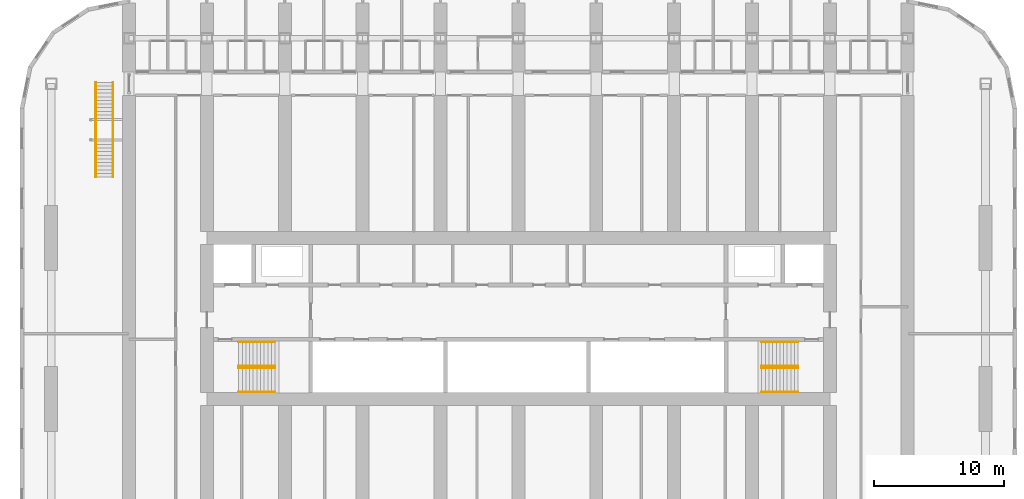
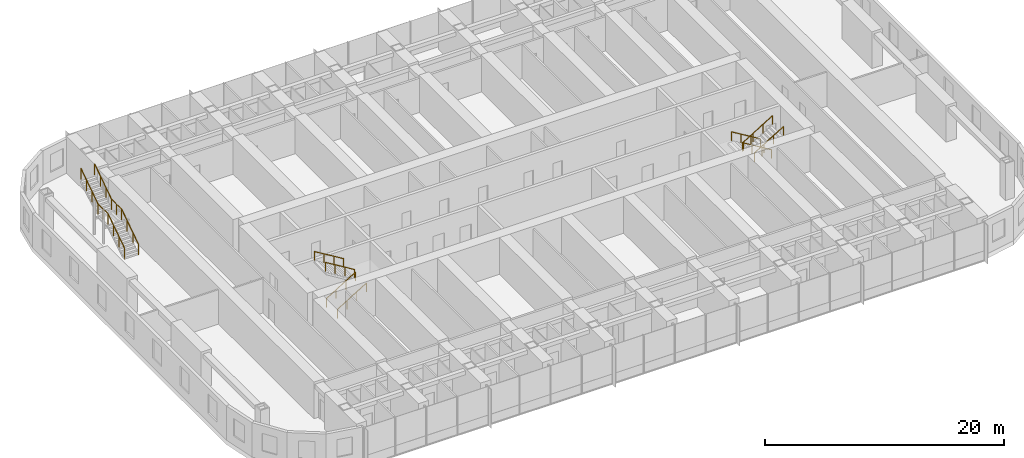
# One storey, part 28 of 28: 10 railings.
"""IFC4 building model written with IfcOpenShell, lengths in metres."""

from ifc_helpers import new_model, si_unit, direction, frame, origin, origin_2d, place, context, subcontext, project, spatial, circle, extrude, material, type_object, element, save


model = new_model("IFC4")

# Units and contexts
model_context = context("Model", 3, precision=1e-05, world=origin(), true_north=direction((0.0, 1.0)))
body_context = subcontext(model_context, "Body", "Model", "MODEL_VIEW")
ifc_project = project(units=[si_unit("LENGTHUNIT", "METRE"), si_unit("AREAUNIT", "SQUARE_METRE"), si_unit("VOLUMEUNIT", "CUBIC_METRE"), si_unit("PLANEANGLEUNIT", "RADIAN"), si_unit("MASSUNIT", "GRAM", prefix="KILO")], contexts=[model_context])

# Site, building, storey
site_placement = place(None, origin())
site = spatial("IfcSite", under=ifc_project, at=site_placement, CompositionType="ELEMENT")
building_placement = place(site_placement, origin())
building = spatial("IfcBuilding", under=site, at=building_placement, Name="Orbita Commons", CompositionType="ELEMENT")
storey_placement = place(building_placement, frame((0.0, 0.0, 38.949951171875)))
storey = spatial("IfcBuildingStorey", under=building, at=storey_placement, Name="L09", CompositionType="ELEMENT", Elevation=38.949951171875)

# Railings
ifc_material_1 = material(Name="Laminated glass, steel handrail", Category="steel")
railing_type_1 = type_object("IfcRailingType", Name="Feature stair balustrade, glass on steel stringer 1100", PredefinedType="BALUSTRADE", material=ifc_material_1)
for number, where, name in (
    (1, (9.43994140625, 42.89990234375, 0.0), "Neighbourhood stair L09 to L10 balustrade L"),
    (2, (10.760009765625, 42.89990234375, 0.0), "Neighbourhood stair L09 to L10 balustrade R"),
):
    element("IfcRailing", number, at=place(storey_placement, frame(where)), inside=storey, type_object=railing_type_1, Name=name, PredefinedType="BALUSTRADE", context=body_context, shape_type="SweptSolid", body=[
        extrude(circle(Radius=0.02490234375, at=origin_2d()), frame((0.0, 0.0, 1.0751953125), z_axis=(0.0, 0.830911662861, 0.55640435703), x_axis=(-1.0, 0.0, 0.0)), (0.0, 0.0, 1.0), 3.369873046875),
        extrude(circle(Radius=0.02490234375, at=origin_2d()), frame((0.0, 2.800048828125, 2.9501953125), z_axis=(0.0, 1.0, 0.0), x_axis=(-1.0, 0.0, 0.0)), (0.0, 0.0, 1.0), 1.7099609375),
        extrude(circle(Radius=0.02490234375, at=origin_2d()), frame((0.0, 4.510009765625, 2.9501953125), z_axis=(0.0, 0.830911662861, 0.55640435703), x_axis=(-1.0, 0.0, 0.0)), (0.0, 0.0, 1.0), 3.369873046875),
        extrude(circle(Radius=0.02001953125, at=origin_2d()), origin(), (0.0, 0.0, 1.0), 1.050048828125),
        extrude(circle(Radius=0.02001953125, at=origin_2d()), frame((0.0, 0.933349609375, 0.625)), (0.0, 0.0, 1.0), 1.050048828125),
        extrude(circle(Radius=0.02001953125, at=origin_2d()), frame((0.0, 1.86669921875, 1.25)), (0.0, 0.0, 1.0), 1.050048828125),
        extrude(circle(Radius=0.02001953125, at=origin_2d()), frame((0.0, 2.800048828125, 1.875)), (0.0, 0.0, 1.0), 1.050048828125),
        extrude(circle(Radius=0.02001953125, at=origin_2d()), frame((0.0, 3.655029296875, 1.875)), (0.0, 0.0, 1.0), 1.050048828125),
        extrude(circle(Radius=0.02001953125, at=origin_2d()), frame((0.0, 4.510009765625, 1.875)), (0.0, 0.0, 1.0), 1.050048828125),
        extrude(circle(Radius=0.02001953125, at=origin_2d()), frame((0.0, 5.443359375, 2.5)), (0.0, 0.0, 1.0), 1.050048828125),
        extrude(circle(Radius=0.02001953125, at=origin_2d()), frame((0.0, 6.376708984375, 3.125)), (0.0, 0.0, 1.0), 1.050048828125),
        extrude(circle(Radius=0.02001953125, at=origin_2d()), frame((0.0, 7.31005859375, 3.75)), (0.0, 0.0, 1.0), 1.050048828125),
    ])
ifc_material_2 = material(Name="Steel tube, painted", Category="steel")
railing_type_2 = type_object("IfcRailingType", Name="Stair handrail steel tube 900", PredefinedType="HANDRAIL", material=ifc_material_2)
for number, where, name in (
    (3, (20.449951171875, 28.18994140625, 0.17041015625), "Stair S1 handrail L09 flight 1"),
    (4, (20.449951171875, 26.360107421875, 0.17041015625), "Stair S1 handrail L09 flight 1"),
):
    element("IfcRailing", number, at=place(storey_placement, frame(where)), inside=storey, type_object=railing_type_2, Name=name, PredefinedType="HANDRAIL", context=body_context, shape_type="SweptSolid", body=[
        extrude(circle(Radius=0.02099609375, at=origin_2d()), frame((0.0, 0.0, 0.87890625), z_axis=(0.854169791009, 0.0, 0.51999420009), x_axis=(0.0, 1.0, 0.0)), (0.0, 0.0, 1.0), 3.278076171875),
        extrude(circle(Radius=0.02001953125, at=origin_2d()), origin(), (0.0, 0.0, 1.0), 0.85791015625),
        extrude(circle(Radius=0.02001953125, at=origin_2d()), frame((0.933349609375, 0.0, 0.568115234375)), (0.0, 0.0, 1.0), 0.85791015625),
        extrude(circle(Radius=0.02001953125, at=origin_2d()), frame((1.86669921875, 0.0, 1.136474609375)), (0.0, 0.0, 1.0), 0.85791015625),
        extrude(circle(Radius=0.02001953125, at=origin_2d()), frame((2.800048828125, 0.0, 1.70458984375)), (0.0, 0.0, 1.0), 0.85791015625),
    ])
for number, where, name in (
    (5, (23.25, 28.360107421875, 2.04541015625), "Stair S1 handrail L09 flight 2"),
    (6, (23.25, 30.18994140625, 2.04541015625), "Stair S1 handrail L09 flight 2"),
    (7, (63.550048828125, 28.360107421875, 0.17041015625), "Stair S2 handrail L09 flight 1"),
    (8, (63.550048828125, 30.18994140625, 0.17041015625), "Stair S2 handrail L09 flight 1"),
):
    element("IfcRailing", number, at=place(storey_placement, frame(where)), inside=storey, type_object=railing_type_2, Name=name, PredefinedType="HANDRAIL", context=body_context, shape_type="SweptSolid", body=[
        extrude(circle(Radius=0.02099609375, at=origin_2d()), frame((0.0, 0.0, 0.87890625), z_axis=(-0.854169791009, 0.0, 0.51999420009), x_axis=(0.0, -1.0, 0.0)), (0.0, 0.0, 1.0), 3.278076171875),
        extrude(circle(Radius=0.02001953125, at=origin_2d()), origin(), (0.0, 0.0, 1.0), 0.85791015625),
        extrude(circle(Radius=0.02001953125, at=origin_2d()), frame((-0.933349609375, 0.0, 0.568115234375)), (0.0, 0.0, 1.0), 0.85791015625),
        extrude(circle(Radius=0.02001953125, at=origin_2d()), frame((-1.86669921875, 0.0, 1.136474609375)), (0.0, 0.0, 1.0), 0.85791015625),
        extrude(circle(Radius=0.02001953125, at=origin_2d()), frame((-2.800048828125, 0.0, 1.70458984375)), (0.0, 0.0, 1.0), 0.85791015625),
    ])
for number, where, name in (
    (9, (60.75, 28.18994140625, 2.04541015625), "Stair S2 handrail L09 flight 2"),
    (10, (60.75, 26.360107421875, 2.04541015625), "Stair S2 handrail L09 flight 2"),
):
    element("IfcRailing", number, at=place(storey_placement, frame(where)), inside=storey, type_object=railing_type_2, Name=name, PredefinedType="HANDRAIL", context=body_context, shape_type="SweptSolid", body=[
        extrude(circle(Radius=0.02099609375, at=origin_2d()), frame((0.0, 0.0, 0.87890625), z_axis=(0.854169791009, 0.0, 0.51999420009), x_axis=(0.0, 1.0, 0.0)), (0.0, 0.0, 1.0), 3.278076171875),
        extrude(circle(Radius=0.02001953125, at=origin_2d()), origin(), (0.0, 0.0, 1.0), 0.85791015625),
        extrude(circle(Radius=0.02001953125, at=origin_2d()), frame((0.933349609375, 0.0, 0.568115234375)), (0.0, 0.0, 1.0), 0.85791015625),
        extrude(circle(Radius=0.02001953125, at=origin_2d()), frame((1.86669921875, 0.0, 1.136474609375)), (0.0, 0.0, 1.0), 0.85791015625),
        extrude(circle(Radius=0.02001953125, at=origin_2d()), frame((2.800048828125, 0.0, 1.70458984375)), (0.0, 0.0, 1.0), 0.85791015625),
    ])

save(model, "model.ifc")
